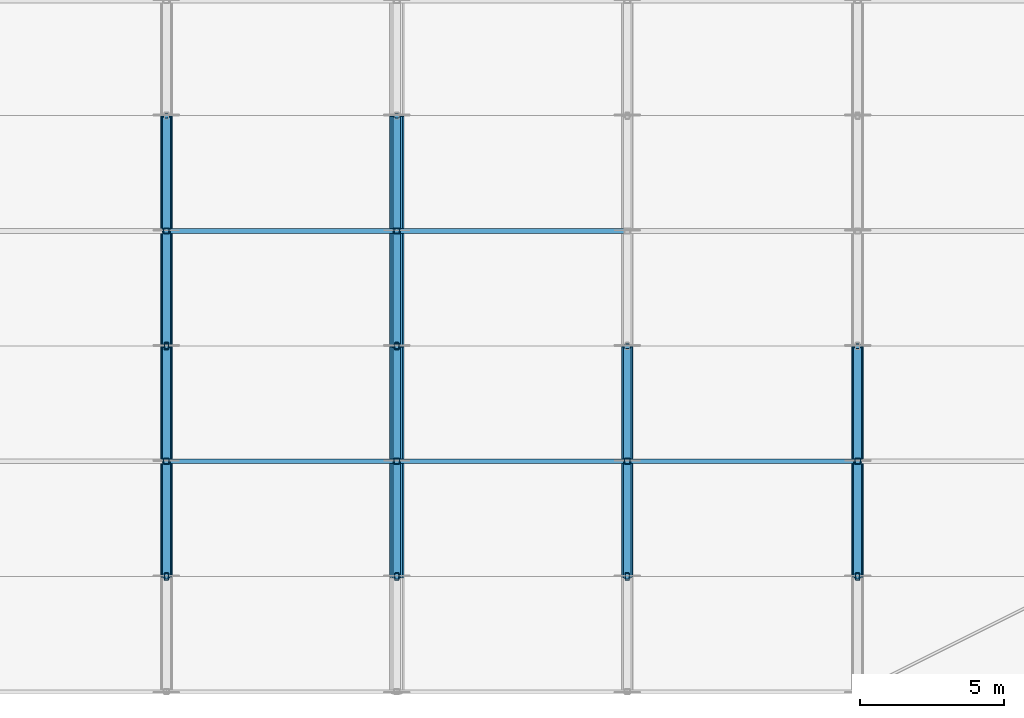
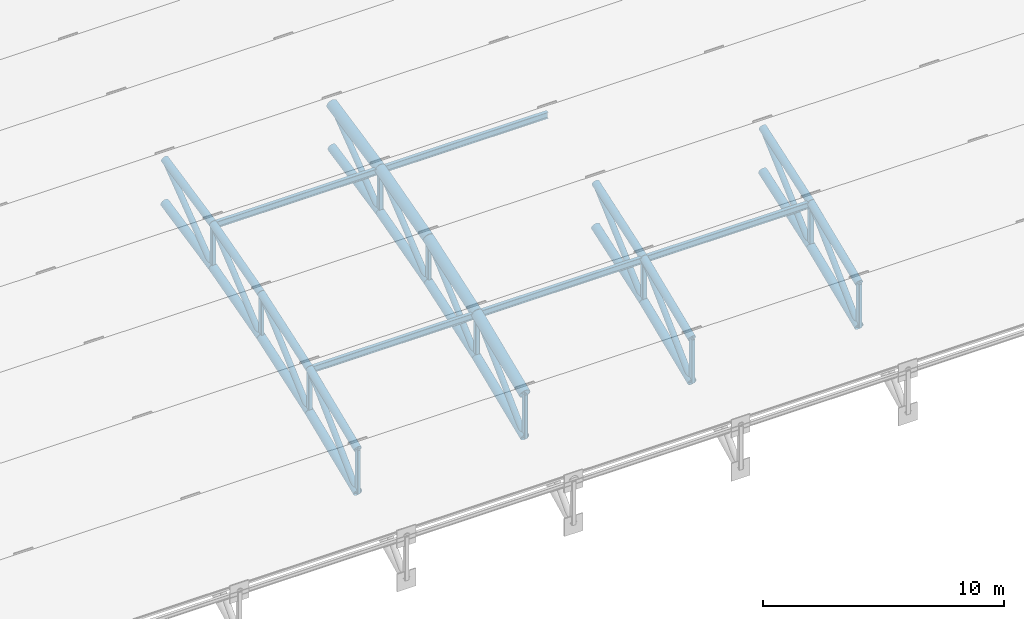
# One storey, part 23 of 98: 53 members.
"""IFC4 building model written with IfcOpenShell, lengths in metres."""

import ifcopenshell
import ifcopenshell.guid

model = None  # the IFC model being written
_history = None  # IfcOwnerHistory: only IFC2X3 demands one
_inside = {}  # id of a spatial element -> (the spatial element, [elements in it])
_under = {}  # id of a project, library or spatial element -> (it, [spatial elements below it])
_declared = {}  # id of a project -> (the project, [libraries it declares])
_typed = {}  # id of a type object -> (the type object, [elements of that type])
_made_of = {}  # id of a material, layer set ... -> (it, [elements and type objects made of it])


def new_model(schema):
    """Start an empty IFC model of exactly this schema.

    Asked for "IFC4X3", IfcOpenShell would pick the latest addendum, in which some entities
    have other attributes; the version numbers below select the first issue.
    IFC2X3 requires an IfcOwnerHistory on every rooted entity: one is made here for all.
    """
    global model, _history
    if schema == "IFC4X3":
        model = ifcopenshell.file(schema_version=(4, 3, 0, 0))
    else:
        model = ifcopenshell.file(schema=schema)
    _inside.clear()
    _under.clear()
    _declared.clear()
    _typed.clear()
    _made_of.clear()
    _history = None
    if model.schema == "IFC2X3":
        org = make("IfcOrganization", Name="unknown")
        user = make(
            "IfcPersonAndOrganization",
            ThePerson=make("IfcPerson", FamilyName="unknown"),
            TheOrganization=org,
        )
        app = make(
            "IfcApplication",
            ApplicationDeveloper=org,
            Version="unknown",
            ApplicationFullName="unknown",
            ApplicationIdentifier="unknown",
        )
        _history = make(
            "IfcOwnerHistory",
            OwningUser=user,
            OwningApplication=app,
            ChangeAction="ADDED",
            CreationDate=0,
        )
    return model


def make(cls, **values):
    """One entity of the class cls with the attributes given. An attribute that is None is left unset."""
    return model.create_entity(
        cls, **{name: value for name, value in values.items() if value is not None}
    )


def rooted(cls, **values):
    """An entity with a GlobalId (a new one), such as an element, a storey or a relation."""
    return make(cls, GlobalId=ifcopenshell.guid.new(), OwnerHistory=_history, **values)


def si_unit(unit_type, name, prefix=None):
    """IfcSIUnit, for example si_unit("LENGTHUNIT", "METRE", prefix="MILLI")."""
    return make("IfcSIUnit", UnitType=unit_type, Prefix=prefix, Name=name)


def assignment(units):
    """IfcUnitAssignment: the units of a project."""
    return None if units is None else make("IfcUnitAssignment", Units=units)


def point(xyz):
    """IfcCartesianPoint."""
    return None if xyz is None else make("IfcCartesianPoint", Coordinates=xyz)


def direction(xyz):
    """IfcDirection."""
    return None if xyz is None else make("IfcDirection", DirectionRatios=xyz)


def frame(location, z_axis=None, x_axis=None):
    """IfcAxis2Placement3D, a coordinate frame: its origin and axes. An axis left out is left unset."""
    return make(
        "IfcAxis2Placement3D",
        Location=point(location),
        Axis=direction(z_axis),
        RefDirection=direction(x_axis),
    )


def frame_2d(location, x_axis=None):
    """IfcAxis2Placement2D, a coordinate frame in the plane: its origin and x axis."""
    return make(
        "IfcAxis2Placement2D", Location=point(location), RefDirection=direction(x_axis)
    )


def origin():
    """The frame at (0, 0, 0) with its axes left unset."""
    return frame((0.0, 0.0, 0.0))


def origin_2d():
    """The frame at (0, 0) in the plane with its x axis left unset."""
    return frame_2d((0.0, 0.0))


def place(relative_to, where):
    """IfcLocalPlacement: puts the frame where relative to a parent placement (None: the world)."""
    return make(
        "IfcLocalPlacement", PlacementRelTo=relative_to, RelativePlacement=where
    )


def context(
    kind, dimensions, precision=None, world=None, true_north=None, identifier=None
):
    """IfcGeometricRepresentationContext, for example the 3D "Model" context."""
    return make(
        "IfcGeometricRepresentationContext",
        ContextIdentifier=identifier,
        ContextType=kind,
        CoordinateSpaceDimension=dimensions,
        Precision=precision,
        WorldCoordinateSystem=world,
        TrueNorth=true_north,
    )


def subcontext(parent, identifier, kind, view, scale=None):
    """IfcGeometricRepresentationSubContext, for example "Body" below "Model"."""
    return make(
        "IfcGeometricRepresentationSubContext",
        ContextIdentifier=identifier,
        ContextType=kind,
        ParentContext=parent,
        TargetScale=scale,
        TargetView=view,
    )


def project(units=None, contexts=None):
    """IfcProject with its units and contexts."""
    return rooted(
        "IfcProject",
        Name="project",
        RepresentationContexts=contexts,
        UnitsInContext=assignment(units),
    )


def spatial(cls, under=None, at=None, **own):
    """A site, building, storey or space (cls), placed at a placement, below another one or the project."""
    s = rooted(cls, ObjectPlacement=at, **own)
    if under is not None:
        _under.setdefault(under.id(), (under, []))[1].append(s)
    return s


def profile(cls, at=None, kind="AREA", **sizes):
    """A parametric profile (cls). Its sizes go by their IFC names, for example OverallWidth=200.0."""
    return make(cls, ProfileType=kind, Position=at, **sizes)


def hollow_rectangle(**sizes):
    """IfcRectangleHollowProfileDef."""
    return profile("IfcRectangleHollowProfileDef", **sizes)


def hollow_circle(**sizes):
    """IfcCircleHollowProfileDef."""
    return profile("IfcCircleHollowProfileDef", **sizes)


def i_section(**sizes):
    """IfcIShapeProfileDef."""
    return profile("IfcIShapeProfileDef", **sizes)


def extrude(swept, where, along, depth):
    """IfcExtrudedAreaSolid: the profile swept, set in the frame where, extruded along a direction by depth."""
    return make(
        "IfcExtrudedAreaSolid",
        SweptArea=swept,
        Position=where,
        ExtrudedDirection=direction(along),
        Depth=depth,
    )


def shape(context_of_items, identifier, shape_type, items):
    """IfcShapeRepresentation: the items that make up one representation, for example the "Body"."""
    return make(
        "IfcShapeRepresentation",
        ContextOfItems=context_of_items,
        RepresentationIdentifier=identifier,
        RepresentationType=shape_type,
        Items=items,
    )


def material(Name=None, Category=None):
    """IfcMaterial."""
    return make("IfcMaterial", Name=Name, Category=Category)


def material_profile(
    of_material, cross_section, Name=None, Category=None, Priority=None
):
    """IfcMaterialProfile: a cross section and its material."""
    return make(
        "IfcMaterialProfile",
        Name=Name,
        Material=of_material,
        Profile=cross_section,
        Priority=Priority,
        Category=Category,
    )


def profile_set(profiles, Name=None, composite=None):
    """IfcMaterialProfileSet."""
    return make(
        "IfcMaterialProfileSet",
        Name=Name,
        MaterialProfiles=profiles,
        CompositeProfile=composite,
    )


def made_of(thing, what):
    """Note that an element or type object is made of a material, layer set ...; save() writes the relation."""
    if what is not None:
        _made_of.setdefault(what.id(), (what, []))[1].append(thing)
    return thing


def type_object(cls, material=None, **own):
    """A type object (cls), such as IfcWallType, which elements share."""
    return made_of(rooted(cls, **own), material)


def element(
    cls,
    number,
    at=None,
    inside=None,
    cuts=None,
    type_object=None,
    material=None,
    context=None,
    identifier="Body",
    shape_type=None,
    held_by="IfcProductDefinitionShape",
    body=None,
    shapes=None,
    **own,
):
    """One element of the class cls, such as IfcWall. Its Tag is "e" and its number.

    at: its placement. inside: the storey or other place that contains it. cuts: it is an
    opening in that element (IfcRelVoidsElement). A single representation is given by context,
    identifier, shape_type and body (its items); several are given by shapes. held_by: the class
    of the entity that holds the representations. save() writes the other relations.
    """
    e = rooted(cls, Tag="e%d" % number, ObjectPlacement=at, **own)
    if body is not None:
        shapes = [shape(context, identifier, shape_type, body)]
    if shapes is not None:
        e.Representation = make(held_by, Representations=shapes)
    if inside is not None:
        _inside.setdefault(inside.id(), (inside, []))[1].append(e)
    if cuts is not None:
        rooted(
            "IfcRelVoidsElement", RelatingBuildingElement=cuts, RelatedOpeningElement=e
        )
    if type_object is not None:
        _typed.setdefault(type_object.id(), (type_object, []))[1].append(e)
    return made_of(e, material)


def aggregate(whole, parts):
    """IfcRelAggregates: a whole, such as a stair, and the parts it consists of."""
    return rooted("IfcRelAggregates", RelatingObject=whole, RelatedObjects=parts)


def save(model, path):
    """Write the relations noted so far, then the file.

    IfcRelAggregates (storeys below a building ...), IfcRelContainedInSpatialStructure (elements
    in a storey), IfcRelDefinesByType, IfcRelAssociatesMaterial and IfcRelDeclares: one each for
    every whole, place, type object, material and project.
    """
    for whole, parts in _under.values():
        aggregate(whole, parts)
    for where, things in _inside.values():
        rooted(
            "IfcRelContainedInSpatialStructure",
            RelatedElements=things,
            RelatingStructure=where,
        )
    for kind, things in _typed.values():
        rooted("IfcRelDefinesByType", RelatedObjects=things, RelatingType=kind)
    for what, things in _made_of.values():
        rooted("IfcRelAssociatesMaterial", RelatedObjects=things, RelatingMaterial=what)
    for by, libraries in _declared.values():
        rooted("IfcRelDeclares", RelatingContext=by, RelatedDefinitions=libraries)
    model.write(path)


model = new_model("IFC4")

# Units and contexts
model_context = context("Model", 3, precision=1e-05, world=origin(), true_north=direction((0.0, 1.0)))
body_context = subcontext(model_context, "Body", "Model", "MODEL_VIEW")
ifc_project = project(units=[si_unit("LENGTHUNIT", "METRE"), si_unit("AREAUNIT", "SQUARE_METRE"), si_unit("VOLUMEUNIT", "CUBIC_METRE"), si_unit("PLANEANGLEUNIT", "RADIAN"), si_unit("MASSUNIT", "GRAM", prefix="KILO")], contexts=[model_context])

# Site, building, storey
site_placement = place(None, origin())
site = spatial("IfcSite", under=ifc_project, at=site_placement, CompositionType="ELEMENT")
building_placement = place(site_placement, origin())
building = spatial("IfcBuilding", under=site, at=building_placement, Name="Tlacozan Convention Centre", CompositionType="ELEMENT")
storey_placement = place(building_placement, frame((0.0, 0.0, 25.800048828125)))
storey = spatial("IfcBuildingStorey", under=building, at=storey_placement, Name="Roof", CompositionType="ELEMENT", Elevation=25.800048828125)

# Members
ifc_material_1 = material(Name="Steel ASTM A500 Grade C", Category="steel")
ifc_material_profile_1 = material_profile(ifc_material_1, hollow_circle(Radius=0.203125, WallThickness=0.015869140625, at=origin_2d()), Name="OC 406.4x15.9")
ifc_profile_set_1 = profile_set([ifc_material_profile_1], Name="Steel ASTM A500 Grade C")
member_type_1 = type_object("IfcMemberType", Name="Arch Bottom Chord OC 406.4x15.9", PredefinedType="CHORD", material=ifc_profile_set_1)
member_1_placement = place(storey_placement, frame((64.0, 66.0, -10.832275390625), z_axis=(0.0, 0.923948802258, 0.382516157575), x_axis=(-1.0, 0.0, 0.0)))
element("IfcMember", 1, at=member_1_placement, inside=storey, type_object=member_type_1, Name="V2A Roof Truss 9 Bottom Chord 2", PredefinedType="CHORD", context=body_context, shape_type="SweptSolid", body=[
    extrude(hollow_circle(Radius=0.203125, WallThickness=0.015869140625, at=origin_2d()), origin(), (0.0, 0.0, 1.0), 4.329345703125),
])
member_2_placement = place(storey_placement, frame((64.0, 70.0, -9.17626953125), z_axis=(0.0, 0.946164915813, 0.323684958077), x_axis=(-1.0, 0.0, 0.0)))
element("IfcMember", 2, at=member_2_placement, inside=storey, type_object=member_type_1, Name="V2A Roof Truss 9 Bottom Chord 3", PredefinedType="CHORD", context=body_context, shape_type="SweptSolid", body=[
    extrude(hollow_circle(Radius=0.203125, WallThickness=0.015869140625, at=origin_2d()), origin(), (0.0, 0.0, 1.0), 4.2275390625),
])
member_3_placement = place(storey_placement, frame((64.0, 74.0, -7.807861328125), z_axis=(0.0, 0.964289609145, 0.26485005134), x_axis=(-1.0, 0.0, 0.0)))
element("IfcMember", 3, at=member_3_placement, inside=storey, type_object=member_type_1, Name="V2A Roof Truss 9 Bottom Chord 4", PredefinedType="CHORD", context=body_context, shape_type="SweptSolid", body=[
    extrude(hollow_circle(Radius=0.203125, WallThickness=0.015869140625, at=origin_2d()), origin(), (0.0, 0.0, 1.0), 4.148193359375),
])
member_4_placement = place(storey_placement, frame((64.0, 78.0, -6.709228515625), z_axis=(0.0, 0.978552953366, 0.205995430674), x_axis=(-1.0, 0.0, 0.0)))
element("IfcMember", 4, at=member_4_placement, inside=storey, type_object=member_type_1, Name="V2A Roof Truss 9 Bottom Chord 5", PredefinedType="CHORD", context=body_context, shape_type="SweptSolid", body=[
    extrude(hollow_circle(Radius=0.203125, WallThickness=0.015869140625, at=origin_2d()), origin(), (0.0, 0.0, 1.0), 4.087646484375),
])
member_5_placement = place(storey_placement, frame((72.0, 66.0, -10.832275390625), z_axis=(0.0, 0.923948802258, 0.382516157575), x_axis=(-1.0, 0.0, 0.0)))
element("IfcMember", 5, at=member_5_placement, inside=storey, type_object=member_type_1, Name="V2A Roof Truss 10 Bottom Chord 2", PredefinedType="CHORD", context=body_context, shape_type="SweptSolid", body=[
    extrude(hollow_circle(Radius=0.203125, WallThickness=0.015869140625, at=origin_2d()), origin(), (0.0, 0.0, 1.0), 4.329345703125),
])
member_6_placement = place(storey_placement, frame((72.0, 70.0, -9.17626953125), z_axis=(0.0, 0.946164915813, 0.323684958077), x_axis=(-1.0, 0.0, 0.0)))
element("IfcMember", 6, at=member_6_placement, inside=storey, type_object=member_type_1, Name="V2A Roof Truss 10 Bottom Chord 3", PredefinedType="CHORD", context=body_context, shape_type="SweptSolid", body=[
    extrude(hollow_circle(Radius=0.203125, WallThickness=0.015869140625, at=origin_2d()), origin(), (0.0, 0.0, 1.0), 4.2275390625),
])
member_7_placement = place(storey_placement, frame((72.0, 74.0, -7.807861328125), z_axis=(0.0, 0.964289609145, 0.26485005134), x_axis=(-1.0, 0.0, 0.0)))
element("IfcMember", 7, at=member_7_placement, inside=storey, type_object=member_type_1, Name="V2A Roof Truss 10 Bottom Chord 4", PredefinedType="CHORD", context=body_context, shape_type="SweptSolid", body=[
    extrude(hollow_circle(Radius=0.203125, WallThickness=0.015869140625, at=origin_2d()), origin(), (0.0, 0.0, 1.0), 4.148193359375),
])
member_8_placement = place(storey_placement, frame((72.0, 78.0, -6.709228515625), z_axis=(0.0, 0.978552953366, 0.205995430674), x_axis=(-1.0, 0.0, 0.0)))
element("IfcMember", 8, at=member_8_placement, inside=storey, type_object=member_type_1, Name="V2A Roof Truss 10 Bottom Chord 5", PredefinedType="CHORD", context=body_context, shape_type="SweptSolid", body=[
    extrude(hollow_circle(Radius=0.203125, WallThickness=0.015869140625, at=origin_2d()), origin(), (0.0, 0.0, 1.0), 4.087646484375),
])
member_9_placement = place(storey_placement, frame((80.0, 66.0, -10.832275390625), z_axis=(0.0, 0.923948802258, 0.382516157575), x_axis=(-1.0, 0.0, 0.0)))
element("IfcMember", 9, at=member_9_placement, inside=storey, type_object=member_type_1, Name="V2A Roof Truss 11 Bottom Chord 2", PredefinedType="CHORD", context=body_context, shape_type="SweptSolid", body=[
    extrude(hollow_circle(Radius=0.203125, WallThickness=0.015869140625, at=origin_2d()), origin(), (0.0, 0.0, 1.0), 4.329345703125),
])
member_10_placement = place(storey_placement, frame((80.0, 70.0, -9.17626953125), z_axis=(0.0, 0.946164915813, 0.323684958077), x_axis=(-1.0, 0.0, 0.0)))
element("IfcMember", 10, at=member_10_placement, inside=storey, type_object=member_type_1, Name="V2A Roof Truss 11 Bottom Chord 3", PredefinedType="CHORD", context=body_context, shape_type="SweptSolid", body=[
    extrude(hollow_circle(Radius=0.203125, WallThickness=0.015869140625, at=origin_2d()), origin(), (0.0, 0.0, 1.0), 4.2275390625),
])
member_11_placement = place(storey_placement, frame((88.0, 66.0, -10.832275390625), z_axis=(0.0, 0.923948802258, 0.382516157575), x_axis=(-1.0, 0.0, 0.0)))
element("IfcMember", 11, at=member_11_placement, inside=storey, type_object=member_type_1, Name="V2A Roof Truss 12 Bottom Chord 2", PredefinedType="CHORD", context=body_context, shape_type="SweptSolid", body=[
    extrude(hollow_circle(Radius=0.203125, WallThickness=0.015869140625, at=origin_2d()), origin(), (0.0, 0.0, 1.0), 4.329345703125),
])
member_12_placement = place(storey_placement, frame((88.0, 70.0, -9.17626953125), z_axis=(0.0, 0.946164915813, 0.323684958077), x_axis=(-1.0, 0.0, 0.0)))
element("IfcMember", 12, at=member_12_placement, inside=storey, type_object=member_type_1, Name="V2A Roof Truss 12 Bottom Chord 3", PredefinedType="CHORD", context=body_context, shape_type="SweptSolid", body=[
    extrude(hollow_circle(Radius=0.203125, WallThickness=0.015869140625, at=origin_2d()), origin(), (0.0, 0.0, 1.0), 4.2275390625),
])
ifc_material_profile_2 = material_profile(ifc_material_1, hollow_circle(Radius=0.25390625, WallThickness=0.01904296875, at=origin_2d()), Name="OC 508.0x19.1")
ifc_profile_set_2 = profile_set([ifc_material_profile_2], Name="Steel ASTM A500 Grade C")
member_type_2 = type_object("IfcMemberType", Name="Arch Top Chord OC 508x19.1", PredefinedType="CHORD", material=ifc_profile_set_2)
member_13_placement = place(storey_placement, frame((72.0, 66.0, -8.63232421875), z_axis=(0.0, 0.923928870591, 0.382564297979), x_axis=(-1.0, 0.0, 0.0)))
element("IfcMember", 13, at=member_13_placement, inside=storey, type_object=member_type_2, Name="V2A Roof Truss 10 Top Chord 2", PredefinedType="CHORD", context=body_context, shape_type="SweptSolid", body=[
    extrude(hollow_circle(Radius=0.25390625, WallThickness=0.01904296875, at=origin_2d()), origin(), (0.0, 0.0, 1.0), 4.329345703125),
])
member_14_placement = place(storey_placement, frame((72.0, 70.0, -6.97607421875), z_axis=(0.0, 0.946164915813, 0.323684958077), x_axis=(-1.0, 0.0, 0.0)))
element("IfcMember", 14, at=member_14_placement, inside=storey, type_object=member_type_2, Name="V2A Roof Truss 10 Top Chord 3", PredefinedType="CHORD", context=body_context, shape_type="SweptSolid", body=[
    extrude(hollow_circle(Radius=0.25390625, WallThickness=0.01904296875, at=origin_2d()), origin(), (0.0, 0.0, 1.0), 4.2275390625),
])
member_15_placement = place(storey_placement, frame((72.0, 74.0, -5.607666015625), z_axis=(0.0, 0.964304639076, 0.264795322949), x_axis=(-1.0, 0.0, 0.0)))
element("IfcMember", 15, at=member_15_placement, inside=storey, type_object=member_type_2, Name="V2A Roof Truss 10 Top Chord 4", PredefinedType="CHORD", context=body_context, shape_type="SweptSolid", body=[
    extrude(hollow_circle(Radius=0.25390625, WallThickness=0.01904296875, at=origin_2d()), origin(), (0.0, 0.0, 1.0), 4.14794921875),
])
member_16_placement = place(storey_placement, frame((72.0, 78.0, -4.50927734375), z_axis=(0.0, 0.978552953366, 0.205995430674), x_axis=(-1.0, 0.0, 0.0)))
element("IfcMember", 16, at=member_16_placement, inside=storey, type_object=member_type_2, Name="V2A Roof Truss 10 Top Chord 5", PredefinedType="CHORD", context=body_context, shape_type="SweptSolid", body=[
    extrude(hollow_circle(Radius=0.25390625, WallThickness=0.01904296875, at=origin_2d()), origin(), (0.0, 0.0, 1.0), 4.087646484375),
])
ifc_material_profile_3 = material_profile(ifc_material_1, hollow_circle(Radius=0.136474609375, WallThickness=0.0126953125, at=origin_2d()), Name="OC 273.1x12.7")
ifc_profile_set_3 = profile_set([ifc_material_profile_3], Name="Steel ASTM A500 Grade C")
member_type_3 = type_object("IfcMemberType", Name="Arch Web Diagonal OC 273.1x12.7", PredefinedType="BRACE", material=ifc_profile_set_3)
member_17_placement = place(storey_placement, frame((64.0, 66.0, -10.832275390625), z_axis=(0.0, 0.719928977367, 0.694047741547), x_axis=(-1.0, 0.0, 0.0)))
element("IfcMember", 17, at=member_17_placement, inside=storey, type_object=member_type_3, Name="V2A Roof Truss 9 Web Diagonal 2", PredefinedType="BRACE", context=body_context, shape_type="SweptSolid", body=[
    extrude(hollow_circle(Radius=0.136474609375, WallThickness=0.0126953125, at=origin_2d()), origin(), (0.0, 0.0, 1.0), 5.55615234375),
])
member_18_placement = place(storey_placement, frame((64.0, 70.0, -9.17626953125), z_axis=(0.0, 0.746199427712, 0.665722475272), x_axis=(-1.0, 0.0, 0.0)))
element("IfcMember", 18, at=member_18_placement, inside=storey, type_object=member_type_3, Name="V2A Roof Truss 9 Web Diagonal 3", PredefinedType="BRACE", context=body_context, shape_type="SweptSolid", body=[
    extrude(hollow_circle(Radius=0.136474609375, WallThickness=0.0126953125, at=origin_2d()), origin(), (0.0, 0.0, 1.0), 5.360595703125),
])
member_19_placement = place(storey_placement, frame((64.0, 74.0, -7.807861328125), z_axis=(0.0, 0.771507331308, 0.63622043172), x_axis=(-1.0, 0.0, 0.0)))
element("IfcMember", 19, at=member_19_placement, inside=storey, type_object=member_type_3, Name="V2A Roof Truss 9 Web Diagonal 4", PredefinedType="BRACE", context=body_context, shape_type="SweptSolid", body=[
    extrude(hollow_circle(Radius=0.136474609375, WallThickness=0.0126953125, at=origin_2d()), origin(), (0.0, 0.0, 1.0), 5.1845703125),
])
member_20_placement = place(storey_placement, frame((64.0, 78.0, -6.709228515625), z_axis=(0.0, 0.795971176065, 0.605334524766), x_axis=(-1.0, 0.0, 0.0)))
element("IfcMember", 20, at=member_20_placement, inside=storey, type_object=member_type_3, Name="V2A Roof Truss 9 Web Diagonal 5", PredefinedType="BRACE", context=body_context, shape_type="SweptSolid", body=[
    extrude(hollow_circle(Radius=0.136474609375, WallThickness=0.0126953125, at=origin_2d()), origin(), (0.0, 0.0, 1.0), 5.025390625),
])
member_21_placement = place(storey_placement, frame((72.0, 66.0, -10.832275390625), z_axis=(0.0, 0.719928977367, 0.694047741547), x_axis=(-1.0, 0.0, 0.0)))
element("IfcMember", 21, at=member_21_placement, inside=storey, type_object=member_type_3, Name="V2A Roof Truss 10 Web Diagonal 2", PredefinedType="BRACE", context=body_context, shape_type="SweptSolid", body=[
    extrude(hollow_circle(Radius=0.136474609375, WallThickness=0.0126953125, at=origin_2d()), origin(), (0.0, 0.0, 1.0), 5.55615234375),
])
member_22_placement = place(storey_placement, frame((72.0, 70.0, -9.17626953125), z_axis=(0.0, 0.746199427712, 0.665722475272), x_axis=(-1.0, 0.0, 0.0)))
element("IfcMember", 22, at=member_22_placement, inside=storey, type_object=member_type_3, Name="V2A Roof Truss 10 Web Diagonal 3", PredefinedType="BRACE", context=body_context, shape_type="SweptSolid", body=[
    extrude(hollow_circle(Radius=0.136474609375, WallThickness=0.0126953125, at=origin_2d()), origin(), (0.0, 0.0, 1.0), 5.360595703125),
])
member_23_placement = place(storey_placement, frame((72.0, 74.0, -7.807861328125), z_axis=(0.0, 0.771507331308, 0.63622043172), x_axis=(-1.0, 0.0, 0.0)))
element("IfcMember", 23, at=member_23_placement, inside=storey, type_object=member_type_3, Name="V2A Roof Truss 10 Web Diagonal 4", PredefinedType="BRACE", context=body_context, shape_type="SweptSolid", body=[
    extrude(hollow_circle(Radius=0.136474609375, WallThickness=0.0126953125, at=origin_2d()), origin(), (0.0, 0.0, 1.0), 5.1845703125),
])
member_24_placement = place(storey_placement, frame((72.0, 78.0, -6.709228515625), z_axis=(0.0, 0.795971176065, 0.605334524766), x_axis=(-1.0, 0.0, 0.0)))
element("IfcMember", 24, at=member_24_placement, inside=storey, type_object=member_type_3, Name="V2A Roof Truss 10 Web Diagonal 5", PredefinedType="BRACE", context=body_context, shape_type="SweptSolid", body=[
    extrude(hollow_circle(Radius=0.136474609375, WallThickness=0.0126953125, at=origin_2d()), origin(), (0.0, 0.0, 1.0), 5.025390625),
])
member_25_placement = place(storey_placement, frame((80.0, 66.0, -10.832275390625), z_axis=(0.0, 0.719928977367, 0.694047741547), x_axis=(-1.0, 0.0, 0.0)))
element("IfcMember", 25, at=member_25_placement, inside=storey, type_object=member_type_3, Name="V2A Roof Truss 11 Web Diagonal 2", PredefinedType="BRACE", context=body_context, shape_type="SweptSolid", body=[
    extrude(hollow_circle(Radius=0.136474609375, WallThickness=0.0126953125, at=origin_2d()), origin(), (0.0, 0.0, 1.0), 5.55615234375),
])
member_26_placement = place(storey_placement, frame((80.0, 70.0, -9.17626953125), z_axis=(0.0, 0.746199427712, 0.665722475272), x_axis=(-1.0, 0.0, 0.0)))
element("IfcMember", 26, at=member_26_placement, inside=storey, type_object=member_type_3, Name="V2A Roof Truss 11 Web Diagonal 3", PredefinedType="BRACE", context=body_context, shape_type="SweptSolid", body=[
    extrude(hollow_circle(Radius=0.136474609375, WallThickness=0.0126953125, at=origin_2d()), origin(), (0.0, 0.0, 1.0), 5.360595703125),
])
member_27_placement = place(storey_placement, frame((88.0, 66.0, -10.832275390625), z_axis=(0.0, 0.719928977367, 0.694047741547), x_axis=(-1.0, 0.0, 0.0)))
element("IfcMember", 27, at=member_27_placement, inside=storey, type_object=member_type_3, Name="V2A Roof Truss 12 Web Diagonal 2", PredefinedType="BRACE", context=body_context, shape_type="SweptSolid", body=[
    extrude(hollow_circle(Radius=0.136474609375, WallThickness=0.0126953125, at=origin_2d()), origin(), (0.0, 0.0, 1.0), 5.55615234375),
])
member_28_placement = place(storey_placement, frame((88.0, 70.0, -9.17626953125), z_axis=(0.0, 0.746199427712, 0.665722475272), x_axis=(-1.0, 0.0, 0.0)))
element("IfcMember", 28, at=member_28_placement, inside=storey, type_object=member_type_3, Name="V2A Roof Truss 12 Web Diagonal 3", PredefinedType="BRACE", context=body_context, shape_type="SweptSolid", body=[
    extrude(hollow_circle(Radius=0.136474609375, WallThickness=0.0126953125, at=origin_2d()), origin(), (0.0, 0.0, 1.0), 5.360595703125),
])
ifc_material_profile_4 = material_profile(ifc_material_1, hollow_rectangle(XDim=0.203125, YDim=0.203125, WallThickness=0.0126953125, InnerFilletRadius=0.0126953125, OuterFilletRadius=0.02490234375, at=origin_2d()), Name="OR 203x203x12.7")
ifc_profile_set_4 = profile_set([ifc_material_profile_4], Name="Steel ASTM A500 Grade C")
member_type_4 = type_object("IfcMemberType", Name="Arch Web Strut OR 203x203x12.7", PredefinedType="STRUT", material=ifc_profile_set_4)
member_29_placement = place(storey_placement, frame((64.0, 70.0, -9.17626953125), z_axis=(0.0, 0.0, 1.0), x_axis=(1.0, 0.0, 0.0)))
element("IfcMember", 29, at=member_29_placement, inside=storey, type_object=member_type_4, Name="V2A Roof Truss 9 Vertical Strut 3", PredefinedType="STRUT", context=body_context, shape_type="SweptSolid", body=[
    extrude(hollow_rectangle(XDim=0.203125, YDim=0.203125, WallThickness=0.0126953125, InnerFilletRadius=0.0126953125, OuterFilletRadius=0.02490234375, at=origin_2d()), origin(), (0.0, 0.0, 1.0), 2.2001953125),
])
member_30_placement = place(storey_placement, frame((64.0, 78.0, -6.709228515625), z_axis=(0.0, 0.0, 1.0), x_axis=(1.0, 0.0, 0.0)))
element("IfcMember", 30, at=member_30_placement, inside=storey, type_object=member_type_4, Name="V2A Roof Truss 9 Vertical Strut 5", PredefinedType="STRUT", context=body_context, shape_type="SweptSolid", body=[
    extrude(hollow_rectangle(XDim=0.203125, YDim=0.203125, WallThickness=0.0126953125, InnerFilletRadius=0.0126953125, OuterFilletRadius=0.02490234375, at=origin_2d()), origin(), (0.0, 0.0, 1.0), 2.199951171875),
])
member_31_placement = place(storey_placement, frame((72.0, 70.0, -9.17626953125), z_axis=(0.0, 0.0, 1.0), x_axis=(1.0, 0.0, 0.0)))
element("IfcMember", 31, at=member_31_placement, inside=storey, type_object=member_type_4, Name="V2A Roof Truss 10 Vertical Strut 3", PredefinedType="STRUT", context=body_context, shape_type="SweptSolid", body=[
    extrude(hollow_rectangle(XDim=0.203125, YDim=0.203125, WallThickness=0.0126953125, InnerFilletRadius=0.0126953125, OuterFilletRadius=0.02490234375, at=origin_2d()), origin(), (0.0, 0.0, 1.0), 2.2001953125),
])
member_32_placement = place(storey_placement, frame((72.0, 78.0, -6.709228515625), z_axis=(0.0, 0.0, 1.0), x_axis=(1.0, 0.0, 0.0)))
element("IfcMember", 32, at=member_32_placement, inside=storey, type_object=member_type_4, Name="V2A Roof Truss 10 Vertical Strut 5", PredefinedType="STRUT", context=body_context, shape_type="SweptSolid", body=[
    extrude(hollow_rectangle(XDim=0.203125, YDim=0.203125, WallThickness=0.0126953125, InnerFilletRadius=0.0126953125, OuterFilletRadius=0.02490234375, at=origin_2d()), origin(), (0.0, 0.0, 1.0), 2.199951171875),
])
for number, where, z_axis, x_axis, name in (
    (33, (80.0, 70.0, -9.17626953125), (0.0, 0.0, 1.0), (1.0, 0.0, 0.0), "V2A Roof Truss 11 Vertical Strut 3"),
    (34, (88.0, 70.0, -9.17626953125), (0.0, 0.0, 1.0), (1.0, 0.0, 0.0), "V2A Roof Truss 12 Vertical Strut 3"),
):
    element("IfcMember", number, at=place(storey_placement, frame(where, z_axis=z_axis, x_axis=x_axis)), inside=storey, type_object=member_type_4, Name=name, PredefinedType="STRUT", context=body_context, shape_type="SweptSolid", body=[
        extrude(hollow_rectangle(XDim=0.203125, YDim=0.203125, WallThickness=0.0126953125, InnerFilletRadius=0.0126953125, OuterFilletRadius=0.02490234375, at=origin_2d()), origin(), (0.0, 0.0, 1.0), 2.2001953125),
    ])
ifc_material_2 = material(Name="Steel ASTM A992 Grade 50", Category="steel")
ifc_material_profile_5 = material_profile(ifc_material_2, i_section(OverallWidth=0.1669921875, OverallDepth=0.31689453125, WebThickness=0.007568359375, FlangeThickness=0.01318359375, FilletRadius=0.010009765625, at=origin_2d()), Name="IR 305x52.2")
ifc_profile_set_5 = profile_set([ifc_material_profile_5], Name="Steel ASTM A992 Grade 50")
member_type_5 = type_object("IfcMemberType", Name="Roof Purlin IR 305x52.2", PredefinedType="PURLIN", material=ifc_profile_set_5)
for number, where, z_axis, x_axis, name in (
    (35, (64.0, 70.0, -7.041259765625), (1.0, 0.0, 0.0), (0.0, 1.0, 0.0), "V2A Roof Truss Purlin 9.3"),
    (36, (64.0, 78.0, -4.57421875), (1.0, 0.0, 0.0), (0.0, 1.0, 0.0), "V2A Roof Truss Purlin 9.5"),
    (37, (72.0, 70.0, -7.041259765625), (1.0, 0.0, 0.0), (0.0, 1.0, 0.0), "V2A Roof Truss Purlin 10.3"),
    (38, (72.0, 78.0, -4.57421875), (1.0, 0.0, 0.0), (0.0, 1.0, 0.0), "V2A Roof Truss Purlin 10.5"),
    (39, (80.0, 70.0, -7.041259765625), (1.0, 0.0, 0.0), (0.0, 1.0, 0.0), "V2A Roof Truss Purlin 11.3"),
):
    element("IfcMember", number, at=place(storey_placement, frame(where, z_axis=z_axis, x_axis=x_axis)), inside=storey, type_object=member_type_5, Name=name, PredefinedType="PURLIN", context=body_context, shape_type="SweptSolid", body=[
        extrude(i_section(OverallWidth=0.1669921875, OverallDepth=0.31689453125, WebThickness=0.007568359375, FlangeThickness=0.01318359375, FilletRadius=0.010009765625, at=origin_2d()), origin(), (0.0, 0.0, 1.0), 8.0),
    ])
ifc_material_profile_6 = material_profile(ifc_material_1, hollow_circle(Radius=0.177734375, WallThickness=0.015869140625, at=origin_2d()), Name="OC 355.6x15.9")
ifc_profile_set_6 = profile_set([ifc_material_profile_6], Name="Steel ASTM A500 Grade C")
member_type_6 = type_object("IfcMemberType", Name="Secondary Arch Chord OC 355.6x15.9", PredefinedType="CHORD", material=ifc_profile_set_6)
member_33_placement = place(storey_placement, frame((64.0, 66.0, -8.63232421875), z_axis=(0.0, 0.923928870591, 0.382564297979), x_axis=(-1.0, 0.0, 0.0)))
element("IfcMember", 40, at=member_33_placement, inside=storey, type_object=member_type_6, Name="V2A Roof Truss 9 Top Chord 2", PredefinedType="CHORD", context=body_context, shape_type="SweptSolid", body=[
    extrude(hollow_circle(Radius=0.177734375, WallThickness=0.015869140625, at=origin_2d()), origin(), (0.0, 0.0, 1.0), 4.329345703125),
])
member_34_placement = place(storey_placement, frame((64.0, 70.0, -6.97607421875), z_axis=(0.0, 0.946164915813, 0.323684958077), x_axis=(-1.0, 0.0, 0.0)))
element("IfcMember", 41, at=member_34_placement, inside=storey, type_object=member_type_6, Name="V2A Roof Truss 9 Top Chord 3", PredefinedType="CHORD", context=body_context, shape_type="SweptSolid", body=[
    extrude(hollow_circle(Radius=0.177734375, WallThickness=0.015869140625, at=origin_2d()), origin(), (0.0, 0.0, 1.0), 4.2275390625),
])
member_35_placement = place(storey_placement, frame((64.0, 74.0, -5.607666015625), z_axis=(0.0, 0.964304639076, 0.264795322949), x_axis=(-1.0, 0.0, 0.0)))
element("IfcMember", 42, at=member_35_placement, inside=storey, type_object=member_type_6, Name="V2A Roof Truss 9 Top Chord 4", PredefinedType="CHORD", context=body_context, shape_type="SweptSolid", body=[
    extrude(hollow_circle(Radius=0.177734375, WallThickness=0.015869140625, at=origin_2d()), origin(), (0.0, 0.0, 1.0), 4.14794921875),
])
member_36_placement = place(storey_placement, frame((64.0, 78.0, -4.50927734375), z_axis=(0.0, 0.978552953366, 0.205995430674), x_axis=(-1.0, 0.0, 0.0)))
element("IfcMember", 43, at=member_36_placement, inside=storey, type_object=member_type_6, Name="V2A Roof Truss 9 Top Chord 5", PredefinedType="CHORD", context=body_context, shape_type="SweptSolid", body=[
    extrude(hollow_circle(Radius=0.177734375, WallThickness=0.015869140625, at=origin_2d()), origin(), (0.0, 0.0, 1.0), 4.087646484375),
])
member_37_placement = place(storey_placement, frame((80.0, 66.0, -8.63232421875), z_axis=(0.0, 0.923928870591, 0.382564297979), x_axis=(-1.0, 0.0, 0.0)))
element("IfcMember", 44, at=member_37_placement, inside=storey, type_object=member_type_6, Name="V2A Roof Truss 11 Top Chord 2", PredefinedType="CHORD", context=body_context, shape_type="SweptSolid", body=[
    extrude(hollow_circle(Radius=0.177734375, WallThickness=0.015869140625, at=origin_2d()), origin(), (0.0, 0.0, 1.0), 4.329345703125),
])
member_38_placement = place(storey_placement, frame((80.0, 70.0, -6.97607421875), z_axis=(0.0, 0.946164915813, 0.323684958077), x_axis=(-1.0, 0.0, 0.0)))
element("IfcMember", 45, at=member_38_placement, inside=storey, type_object=member_type_6, Name="V2A Roof Truss 11 Top Chord 3", PredefinedType="CHORD", context=body_context, shape_type="SweptSolid", body=[
    extrude(hollow_circle(Radius=0.177734375, WallThickness=0.015869140625, at=origin_2d()), origin(), (0.0, 0.0, 1.0), 4.2275390625),
])
member_39_placement = place(storey_placement, frame((88.0, 66.0, -8.63232421875), z_axis=(0.0, 0.923928870591, 0.382564297979), x_axis=(-1.0, 0.0, 0.0)))
element("IfcMember", 46, at=member_39_placement, inside=storey, type_object=member_type_6, Name="V2A Roof Truss 12 Top Chord 2", PredefinedType="CHORD", context=body_context, shape_type="SweptSolid", body=[
    extrude(hollow_circle(Radius=0.177734375, WallThickness=0.015869140625, at=origin_2d()), origin(), (0.0, 0.0, 1.0), 4.329345703125),
])
member_40_placement = place(storey_placement, frame((88.0, 70.0, -6.97607421875), z_axis=(0.0, 0.946164915813, 0.323684958077), x_axis=(-1.0, 0.0, 0.0)))
element("IfcMember", 47, at=member_40_placement, inside=storey, type_object=member_type_6, Name="V2A Roof Truss 12 Top Chord 3", PredefinedType="CHORD", context=body_context, shape_type="SweptSolid", body=[
    extrude(hollow_circle(Radius=0.177734375, WallThickness=0.015869140625, at=origin_2d()), origin(), (0.0, 0.0, 1.0), 4.2275390625),
])
ifc_material_profile_7 = material_profile(ifc_material_1, hollow_rectangle(XDim=0.15234375, YDim=0.25390625, WallThickness=0.0126953125, InnerFilletRadius=0.0126953125, OuterFilletRadius=0.02490234375, at=origin_2d()), Name="OR 254x152x12.7")
ifc_profile_set_7 = profile_set([ifc_material_profile_7], Name="Steel ASTM A500 Grade C")
member_type_7 = type_object("IfcMemberType", Name="Truss Secondary Strut OR 254x152x12.7", PredefinedType="STRUT", material=ifc_profile_set_7)
member_41_placement = place(storey_placement, frame((64.0, 66.0, -10.832275390625), z_axis=(0.0, 0.0, 1.0), x_axis=(1.0, 0.0, 0.0)))
element("IfcMember", 48, at=member_41_placement, inside=storey, type_object=member_type_7, Name="V2A Roof Truss 9 Vertical Strut 2", PredefinedType="STRUT", context=body_context, shape_type="SweptSolid", body=[
    extrude(hollow_rectangle(XDim=0.15234375, YDim=0.25390625, WallThickness=0.0126953125, InnerFilletRadius=0.0126953125, OuterFilletRadius=0.02490234375, at=origin_2d()), origin(), (0.0, 0.0, 1.0), 2.199951171875),
])
member_42_placement = place(storey_placement, frame((64.0, 74.0, -7.807861328125), z_axis=(0.0, 0.0, 1.0), x_axis=(1.0, 0.0, 0.0)))
element("IfcMember", 49, at=member_42_placement, inside=storey, type_object=member_type_7, Name="V2A Roof Truss 9 Vertical Strut 4", PredefinedType="STRUT", context=body_context, shape_type="SweptSolid", body=[
    extrude(hollow_rectangle(XDim=0.15234375, YDim=0.25390625, WallThickness=0.0126953125, InnerFilletRadius=0.0126953125, OuterFilletRadius=0.02490234375, at=origin_2d()), origin(), (0.0, 0.0, 1.0), 2.2001953125),
])
member_43_placement = place(storey_placement, frame((72.0, 66.0, -10.832275390625), z_axis=(0.0, 0.0, 1.0), x_axis=(1.0, 0.0, 0.0)))
element("IfcMember", 50, at=member_43_placement, inside=storey, type_object=member_type_7, Name="V2A Roof Truss 10 Vertical Strut 2", PredefinedType="STRUT", context=body_context, shape_type="SweptSolid", body=[
    extrude(hollow_rectangle(XDim=0.15234375, YDim=0.25390625, WallThickness=0.0126953125, InnerFilletRadius=0.0126953125, OuterFilletRadius=0.02490234375, at=origin_2d()), origin(), (0.0, 0.0, 1.0), 2.199951171875),
])
member_44_placement = place(storey_placement, frame((72.0, 74.0, -7.807861328125), z_axis=(0.0, 0.0, 1.0), x_axis=(1.0, 0.0, 0.0)))
element("IfcMember", 51, at=member_44_placement, inside=storey, type_object=member_type_7, Name="V2A Roof Truss 10 Vertical Strut 4", PredefinedType="STRUT", context=body_context, shape_type="SweptSolid", body=[
    extrude(hollow_rectangle(XDim=0.15234375, YDim=0.25390625, WallThickness=0.0126953125, InnerFilletRadius=0.0126953125, OuterFilletRadius=0.02490234375, at=origin_2d()), origin(), (0.0, 0.0, 1.0), 2.2001953125),
])
for number, where, z_axis, x_axis, name in (
    (52, (80.0, 66.0, -10.832275390625), (0.0, 0.0, 1.0), (1.0, 0.0, 0.0), "V2A Roof Truss 11 Vertical Strut 2"),
    (53, (88.0, 66.0, -10.832275390625), (0.0, 0.0, 1.0), (1.0, 0.0, 0.0), "V2A Roof Truss 12 Vertical Strut 2"),
):
    element("IfcMember", number, at=place(storey_placement, frame(where, z_axis=z_axis, x_axis=x_axis)), inside=storey, type_object=member_type_7, Name=name, PredefinedType="STRUT", context=body_context, shape_type="SweptSolid", body=[
        extrude(hollow_rectangle(XDim=0.15234375, YDim=0.25390625, WallThickness=0.0126953125, InnerFilletRadius=0.0126953125, OuterFilletRadius=0.02490234375, at=origin_2d()), origin(), (0.0, 0.0, 1.0), 2.199951171875),
    ])

save(model, "model.ifc")
